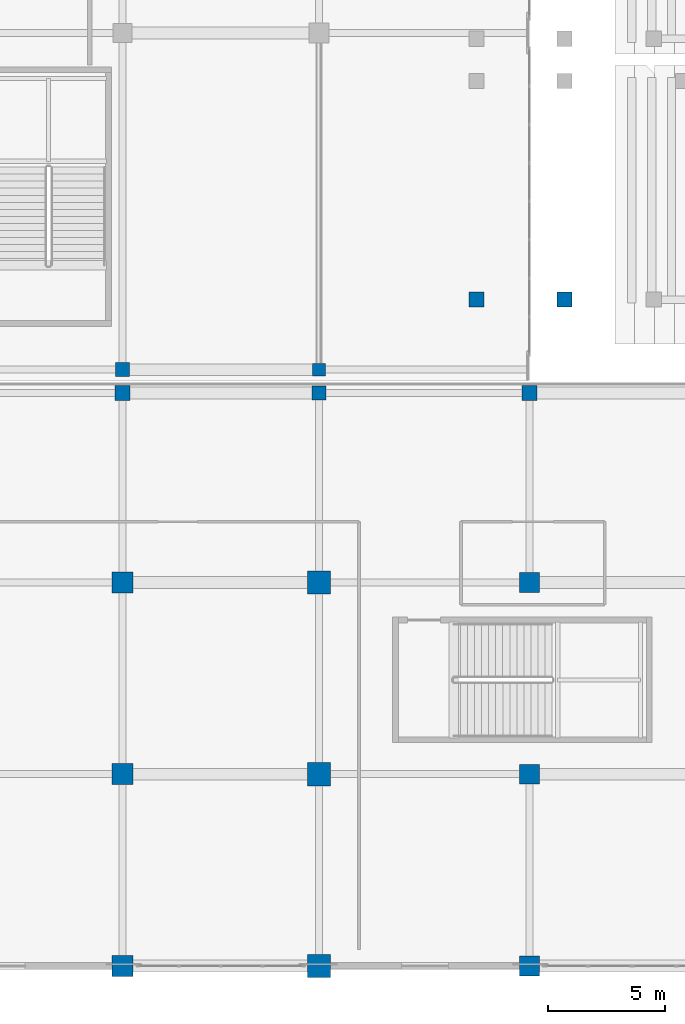
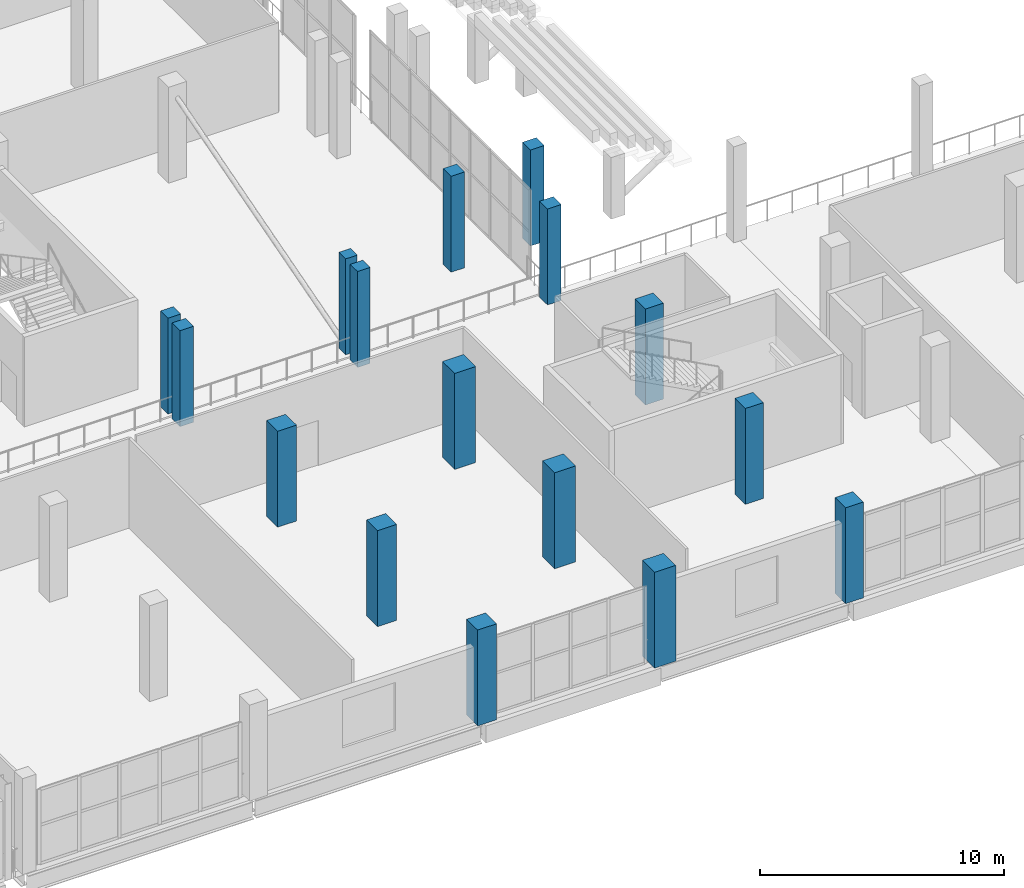
# One storey, part 2 of 142: 16 columns.
"""IFC4 building model written with IfcOpenShell, lengths in metres."""

from ifc_helpers import new_model, si_unit, direction, frame, origin, origin_2d, place, context, subcontext, project, spatial, rectangle, extrude, material, material_profile, profile_set, type_object, element, save


model = new_model("IFC4")

# Units and contexts
model_context = context("Model", 3, precision=1e-05, world=origin(), true_north=direction((0.0, 1.0)))
body_context = subcontext(model_context, "Body", "Model", "MODEL_VIEW")
ifc_project = project(units=[si_unit("LENGTHUNIT", "METRE"), si_unit("AREAUNIT", "SQUARE_METRE"), si_unit("VOLUMEUNIT", "CUBIC_METRE"), si_unit("PLANEANGLEUNIT", "RADIAN"), si_unit("MASSUNIT", "GRAM", prefix="KILO")], contexts=[model_context])

# Site, building, storey
site_placement = place(None, origin())
site = spatial("IfcSite", under=ifc_project, at=site_placement, CompositionType="ELEMENT")
building_placement = place(site_placement, origin())
building = spatial("IfcBuilding", under=site, at=building_placement, Name="Koshinbarg Plaza Stadium", CompositionType="ELEMENT")
storey_placement = place(building_placement, frame((0.0, 0.0, 10.199951171875)))
storey = spatial("IfcBuildingStorey", under=building, at=storey_placement, Name="L02", CompositionType="ELEMENT", Elevation=10.199951171875)

# Columns
ifc_material = material(Name="Concrete C40/50", Category="concrete")
ifc_material_profile_1 = material_profile(ifc_material, rectangle(XDim=0.550048828125, YDim=0.550048828125, at=origin_2d()), Name="RC 550x550")
ifc_profile_set_1 = profile_set([ifc_material_profile_1], Name="Concrete C40/50")
column_type_1 = type_object("IfcColumnType", Name="COL-RC-03", PredefinedType="COLUMN", material=ifc_profile_set_1)
column_placement = place(storey_placement, frame((54.60009765625, 25.5, 0.0), z_axis=(0.0, 0.0, 1.0), x_axis=(1.0, 0.0, 0.0)))
element("IfcColumn", 1, at=column_placement, inside=storey, type_object=column_type_1, Name="L02 column 8/E", PredefinedType="COLUMN", context=body_context, shape_type="SweptSolid", body=[
    extrude(rectangle(XDim=0.550048828125, YDim=0.550048828125, at=origin_2d()), origin(), (0.0, 0.0, 1.0), 4.800048828125),
])
ifc_material_profile_2 = material_profile(ifc_material, rectangle(XDim=0.60009765625, YDim=0.60009765625, at=origin_2d()), Name="RC 600x600")
ifc_profile_set_2 = profile_set([ifc_material_profile_2], Name="Concrete C40/50")
column_type_2 = type_object("IfcColumnType", Name="COL-RC-04", PredefinedType="COLUMN", material=ifc_profile_set_2)
for number, where, z_axis, x_axis, name in (
    (2, (46.199951171875, 25.5, 0.0), (0.0, 0.0, 1.0), (1.0, 0.0, 0.0), "L02 column 7/E"),
    (3, (54.60009765625, 24.5, 0.0), (0.0, 0.0, 1.0), (1.0, 0.0, 0.0), "L02 column 8/D"),
):
    element("IfcColumn", number, at=place(storey_placement, frame(where, z_axis=z_axis, x_axis=x_axis)), inside=storey, type_object=column_type_2, Name=name, PredefinedType="COLUMN", context=body_context, shape_type="SweptSolid", body=[
        extrude(rectangle(XDim=0.60009765625, YDim=0.60009765625, at=origin_2d()), origin(), (0.0, 0.0, 1.0), 4.800048828125),
    ])
ifc_material_profile_3 = material_profile(ifc_material, rectangle(XDim=0.64990234375, YDim=0.64990234375, at=origin_2d()), Name="RC 650x650")
ifc_profile_set_3 = profile_set([ifc_material_profile_3], Name="Concrete C40/50")
column_type_3 = type_object("IfcColumnType", Name="COL-RC-05", PredefinedType="COLUMN", material=ifc_profile_set_3)
for number, where, z_axis, x_axis, name in (
    (4, (46.199951171875, 24.5, 0.0), (0.0, 0.0, 1.0), (1.0, 0.0, 0.0), "L02 column 7/D"),
    (5, (63.60009765625, 24.5, 0.0), (0.0, 0.0, 1.0), (1.0, 0.0, 0.0), "L02 column 9/D"),
    (6, (65.10009765625, 28.5, 0.0), (0.0, 0.0, 1.0), (1.0, 0.0, 0.0), "L02 bowl raker column UT-W01-L-CM"),
    (7, (61.340087890625, 28.5, 0.0), (0.0, 0.0, 1.0), (1.0, 0.0, 0.0), "L02 bowl raker column UT-W01-L-CB"),
):
    element("IfcColumn", number, at=place(storey_placement, frame(where, z_axis=z_axis, x_axis=x_axis)), inside=storey, type_object=column_type_3, Name=name, PredefinedType="COLUMN", context=body_context, shape_type="SweptSolid", body=[
        extrude(rectangle(XDim=0.64990234375, YDim=0.64990234375, at=origin_2d()), origin(), (0.0, 0.0, 1.0), 4.800048828125),
    ])
ifc_material_profile_4 = material_profile(ifc_material, rectangle(XDim=0.85009765625, YDim=0.85009765625, at=origin_2d()), Name="RC 850x850")
ifc_profile_set_4 = profile_set([ifc_material_profile_4], Name="Concrete C40/50")
column_type_4 = type_object("IfcColumnType", Name="COL-RC-09", PredefinedType="COLUMN", material=ifc_profile_set_4)
for number, where, z_axis, x_axis, name in (
    (8, (63.60009765625, 0.0, 0.0), (0.0, 0.0, 1.0), (1.0, 0.0, 0.0), "L02 column 9/A"),
    (9, (63.60009765625, 8.199951171875, 0.0), (0.0, 0.0, 1.0), (1.0, 0.0, 0.0), "L02 column 9/B"),
    (10, (63.60009765625, 16.39990234375, 0.0), (0.0, 0.0, 1.0), (1.0, 0.0, 0.0), "L02 column 9/C"),
):
    element("IfcColumn", number, at=place(storey_placement, frame(where, z_axis=z_axis, x_axis=x_axis)), inside=storey, type_object=column_type_4, Name=name, PredefinedType="COLUMN", context=body_context, shape_type="SweptSolid", body=[
        extrude(rectangle(XDim=0.85009765625, YDim=0.85009765625, at=origin_2d()), origin(), (0.0, 0.0, 1.0), 4.800048828125),
    ])
ifc_material_profile_5 = material_profile(ifc_material, rectangle(XDim=0.89990234375, YDim=0.89990234375, at=origin_2d()), Name="RC 900x900")
ifc_profile_set_5 = profile_set([ifc_material_profile_5], Name="Concrete C40/50")
column_type_5 = type_object("IfcColumnType", Name="COL-RC-10", PredefinedType="COLUMN", material=ifc_profile_set_5)
for number, where, z_axis, x_axis, name in (
    (11, (46.199951171875, 0.0, 0.0), (0.0, 0.0, 1.0), (1.0, 0.0, 0.0), "L02 column 7/A"),
    (12, (46.199951171875, 8.199951171875, 0.0), (0.0, 0.0, 1.0), (1.0, 0.0, 0.0), "L02 column 7/B"),
    (13, (46.199951171875, 16.39990234375, 0.0), (0.0, 0.0, 1.0), (1.0, 0.0, 0.0), "L02 column 7/C"),
):
    element("IfcColumn", number, at=place(storey_placement, frame(where, z_axis=z_axis, x_axis=x_axis)), inside=storey, type_object=column_type_5, Name=name, PredefinedType="COLUMN", context=body_context, shape_type="SweptSolid", body=[
        extrude(rectangle(XDim=0.89990234375, YDim=0.89990234375, at=origin_2d()), origin(), (0.0, 0.0, 1.0), 4.800048828125),
    ])
ifc_material_profile_6 = material_profile(ifc_material, rectangle(XDim=1.0, YDim=1.0, at=origin_2d()), Name="RC 1000x1000")
ifc_profile_set_6 = profile_set([ifc_material_profile_6], Name="Concrete C40/50")
column_type_6 = type_object("IfcColumnType", Name="COL-RC-11", PredefinedType="COLUMN", material=ifc_profile_set_6)
for number, where, z_axis, x_axis, name in (
    (14, (54.60009765625, 0.0, 0.0), (0.0, 0.0, 1.0), (1.0, 0.0, 0.0), "L02 column 8/A"),
    (15, (54.60009765625, 8.199951171875, 0.0), (0.0, 0.0, 1.0), (1.0, 0.0, 0.0), "L02 column 8/B"),
    (16, (54.60009765625, 16.39990234375, 0.0), (0.0, 0.0, 1.0), (1.0, 0.0, 0.0), "L02 column 8/C"),
):
    element("IfcColumn", number, at=place(storey_placement, frame(where, z_axis=z_axis, x_axis=x_axis)), inside=storey, type_object=column_type_6, Name=name, PredefinedType="COLUMN", context=body_context, shape_type="SweptSolid", body=[
        extrude(rectangle(XDim=1.0, YDim=1.0, at=origin_2d()), origin(), (0.0, 0.0, 1.0), 4.800048828125),
    ])

save(model, "model.ifc")
